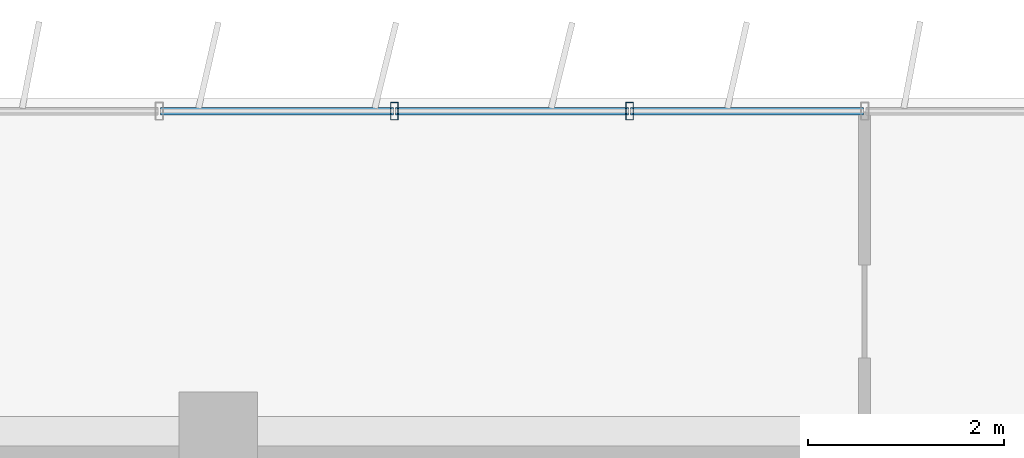
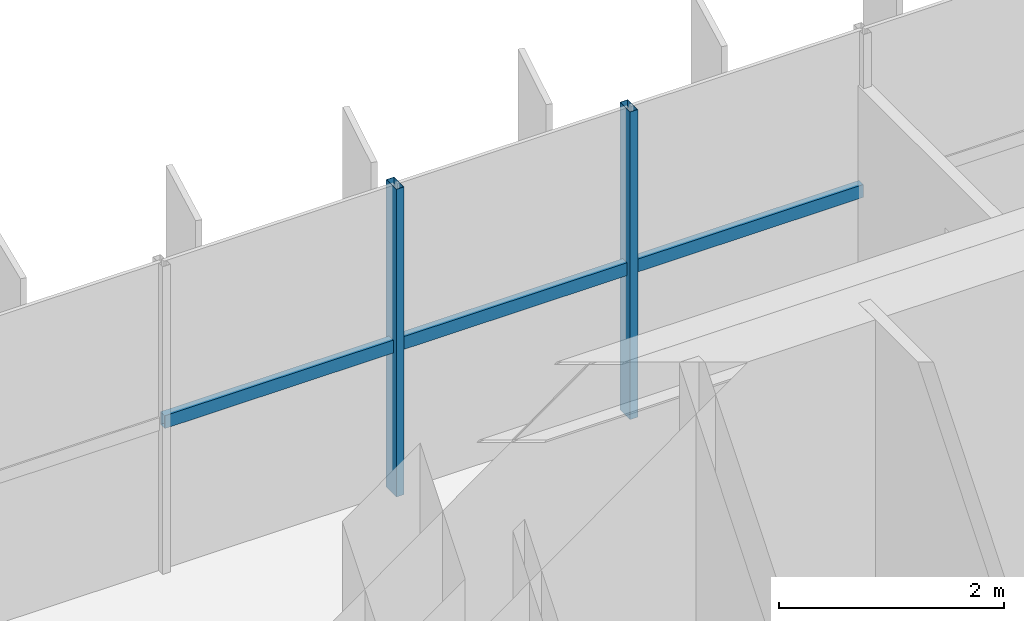
# One storey, part 7 of 22: 5 members, 1 element without a shape of its own.
"""IFC4 building model written with IfcOpenShell, lengths in metres."""

from ifc_helpers import new_model, si_unit, direction, frame, origin, origin_2d, place, context, subcontext, project, spatial, hollow_rectangle, extrude, source, transform, mapped, material, material_profile, profile_set, type_object, element, aggregate, save


model = new_model("IFC4")

# Units and contexts
model_context = context("Model", 3, precision=1e-05, world=origin(), true_north=direction((0.0, 1.0)))
body_context = subcontext(model_context, "Body", "Model", "MODEL_VIEW")
ifc_project = project(units=[si_unit("LENGTHUNIT", "METRE"), si_unit("AREAUNIT", "SQUARE_METRE"), si_unit("VOLUMEUNIT", "CUBIC_METRE"), si_unit("PLANEANGLEUNIT", "RADIAN"), si_unit("MASSUNIT", "GRAM", prefix="KILO")], contexts=[model_context])

# Site, building, storey
site_placement = place(None, origin())
site = spatial("IfcSite", under=ifc_project, at=site_placement, CompositionType="ELEMENT")
building_placement = place(site_placement, origin())
building = spatial("IfcBuilding", under=site, at=building_placement, Name="Trelvane Seafront Commons", CompositionType="ELEMENT")
storey_placement = place(building_placement, frame((0.0, 0.0, 114.10009765625)))
storey = spatial("IfcBuildingStorey", under=building, at=storey_placement, Name="L29", CompositionType="ELEMENT", Elevation=114.10009765625)

# Curtain wall, members
ifc_material = material(Name="Anodised pale-silver aluminium", Category="aluminium")
curtain_wall_type = type_object("IfcCurtainWallType", Name="ARCH-CW4-SKYLOBBY", PredefinedType="NOTDEFINED", material=ifc_material)
curtain_wall_placement = place(storey_placement, origin())
curtain_wall = element("IfcCurtainWall", 1, at=curtain_wall_placement, inside=storey, type_object=curtain_wall_type, Name="CW-L29-0054", PredefinedType="NOTDEFINED")
ifc_material_profile_1 = material_profile(ifc_material, hollow_rectangle(XDim=0.074951171875, YDim=0.139892578125, WallThickness=0.00390625, at=origin_2d()), Name="TRAN-75x140x4")
ifc_profile_set_1 = profile_set([ifc_material_profile_1], Name="Anodised pale-silver aluminium")
member_type_1 = type_object("IfcMemberType", Name="ARCH-CW-TRAN-140", PredefinedType="USERDEFINED", material=ifc_profile_set_1)
shared_shape_1 = source(origin(), body_context, "Body", "SweptSolid", [
    extrude(hollow_rectangle(XDim=0.074951171875, YDim=0.139892578125, WallThickness=0.00390625, at=origin_2d()), origin(), (0.0, 0.0, 1.0), 2.3759765625),
])
member_1_placement = place(storey_placement, frame((30.011962890625, 48.3701171875, 1.602783203125), z_axis=(1.0, 0.0, 0.0), x_axis=(0.0, 1.0, 0.0)))
member_1 = element("IfcMember", 2, at=member_1_placement, type_object=member_type_1, Name="CW-L29-0054-T06", ObjectType="TRANSOM", PredefinedType="USERDEFINED", context=body_context, shape_type="MappedRepresentation", body=[
    mapped(shared_shape_1, transform((0.0, 0.0, 0.0), x_axis=(1.0, 0.0, 0.0), y_axis=(0.0, 1.0, 0.0), z_axis=(0.0, 0.0, 1.0), scale=1.0)),
])
member_2_placement = place(storey_placement, frame((32.412109375, 48.3701171875, 1.602783203125), z_axis=(1.0, 0.0, 0.0), x_axis=(0.0, 1.0, 0.0)))
member_2 = element("IfcMember", 3, at=member_2_placement, type_object=member_type_1, Name="CW-L29-0054-T07", ObjectType="TRANSOM", PredefinedType="USERDEFINED", context=body_context, shape_type="MappedRepresentation", body=[
    mapped(shared_shape_1, transform((0.0, 0.0, 0.0), x_axis=(1.0, 0.0, 0.0), y_axis=(0.0, 1.0, 0.0), z_axis=(0.0, 0.0, 1.0), scale=1.0)),
])
member_3_placement = place(storey_placement, frame((34.81201171875, 48.3701171875, 1.602783203125), z_axis=(1.0, 0.0, 0.0), x_axis=(0.0, 1.0, 0.0)))
member_3 = element("IfcMember", 4, at=member_3_placement, type_object=member_type_1, Name="CW-L29-0054-T08", ObjectType="TRANSOM", PredefinedType="USERDEFINED", context=body_context, shape_type="MappedRepresentation", body=[
    mapped(shared_shape_1, transform((0.0, 0.0, 0.0), x_axis=(1.0, 0.0, 0.0), y_axis=(0.0, 1.0, 0.0), z_axis=(0.0, 0.0, 1.0), scale=1.0)),
])
ifc_material_profile_2 = material_profile(ifc_material, hollow_rectangle(XDim=0.080078125, YDim=0.179931640625, WallThickness=0.00439453125, at=origin_2d()), Name="MULL-80x180x4.5")
ifc_profile_set_2 = profile_set([ifc_material_profile_2], Name="Anodised pale-silver aluminium")
member_type_2 = type_object("IfcMemberType", Name="ARCH-CW-MULL-180", PredefinedType="MULLION", material=ifc_profile_set_2)
shared_shape_2 = source(origin(), body_context, "Body", "SweptSolid", [
    extrude(hollow_rectangle(XDim=0.080078125, YDim=0.179931640625, WallThickness=0.00439453125, at=origin_2d()), origin(), (0.0, 0.0, 1.0), 3.33984375),
])
member_4_placement = place(storey_placement, frame((32.39990234375, 48.3701171875, 0.0), z_axis=(0.0, 0.0, 1.0), x_axis=(1.0, 0.0, 0.0)))
member_4 = element("IfcMember", 5, at=member_4_placement, type_object=member_type_2, Name="CW-L29-0054-M07", PredefinedType="MULLION", context=body_context, shape_type="MappedRepresentation", body=[
    mapped(shared_shape_2, transform((0.0, 0.0, 0.0), x_axis=(1.0, 0.0, 0.0), y_axis=(0.0, 1.0, 0.0), z_axis=(0.0, 0.0, 1.0), scale=1.0)),
])
member_5_placement = place(storey_placement, frame((34.800048828125, 48.3701171875, 0.0), z_axis=(0.0, 0.0, 1.0), x_axis=(1.0, 0.0, 0.0)))
member_5 = element("IfcMember", 6, at=member_5_placement, type_object=member_type_2, Name="CW-L29-0054-M08", PredefinedType="MULLION", context=body_context, shape_type="MappedRepresentation", body=[
    mapped(shared_shape_2, transform((0.0, 0.0, 0.0), x_axis=(1.0, 0.0, 0.0), y_axis=(0.0, 1.0, 0.0), z_axis=(0.0, 0.0, 1.0), scale=1.0)),
])
aggregate(curtain_wall, [member_4, member_5, member_1, member_2, member_3])

save(model, "model.ifc")
